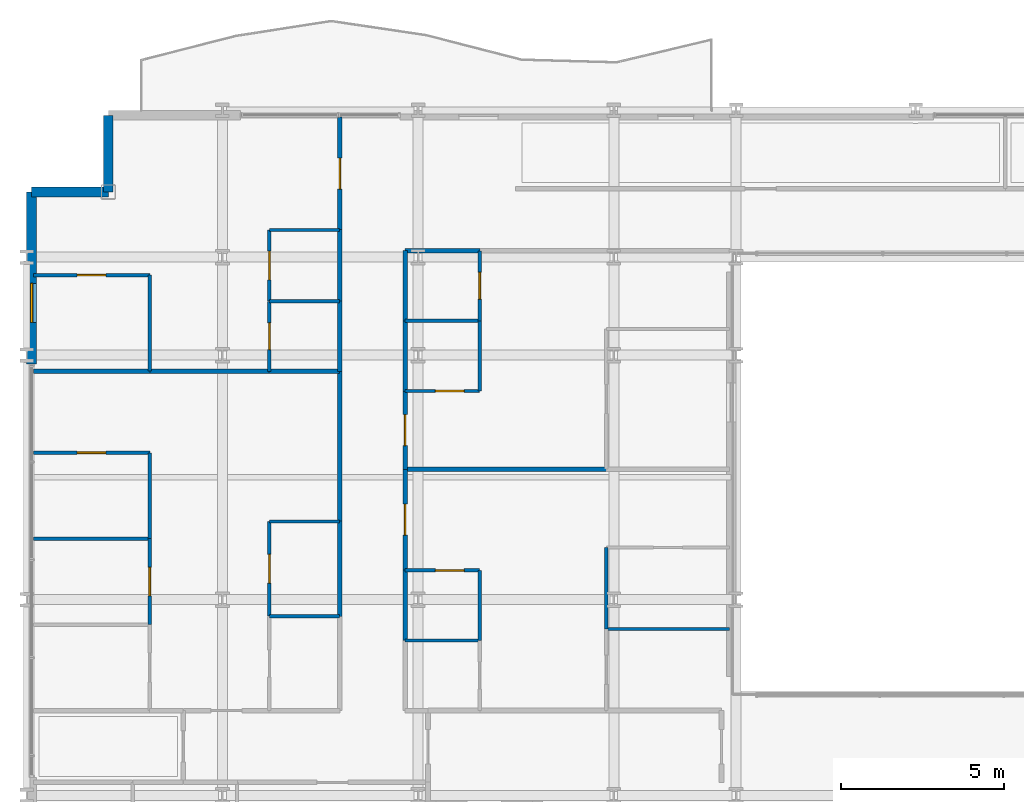
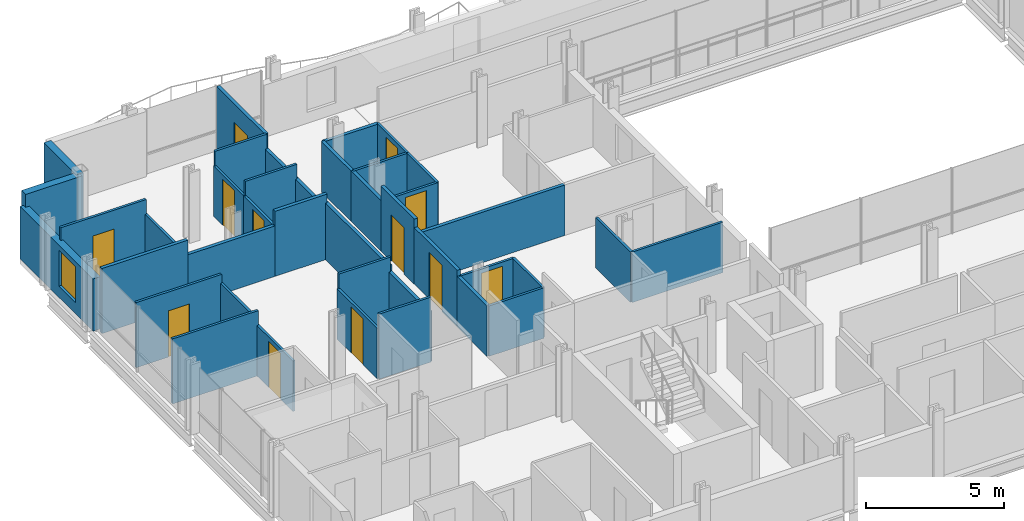
# One storey, part 33 of 41: 40 walls, 12 doors, 1 window, 13 openings.
"""IFC4 building model written with IfcOpenShell, lengths in metres."""

from ifc_helpers import new_model, si_unit, direction, frame, frame_2d, origin, place, context, subcontext, project, spatial, rectangle, extrude, material, layer, layer_set, type_object, element, fill, save


model = new_model("IFC4")

# Units and contexts
model_context = context("Model", 3, precision=1e-05, world=origin(), true_north=direction((0.0, 1.0)))
body_context = subcontext(model_context, "Body", "Model", "MODEL_VIEW")
ifc_project = project(units=[si_unit("LENGTHUNIT", "METRE"), si_unit("AREAUNIT", "SQUARE_METRE"), si_unit("VOLUMEUNIT", "CUBIC_METRE"), si_unit("PLANEANGLEUNIT", "RADIAN"), si_unit("MASSUNIT", "GRAM", prefix="KILO")], contexts=[model_context])

# Site, building, storey
site_placement = place(None, origin())
site = spatial("IfcSite", under=ifc_project, at=site_placement, CompositionType="ELEMENT")
building_placement = place(site_placement, origin())
building = spatial("IfcBuilding", under=site, at=building_placement, Name="Brevholm Reach", CompositionType="ELEMENT")
storey_placement = place(building_placement, frame((0.0, 0.0, 43.5)))
storey = spatial("IfcBuildingStorey", under=building, at=storey_placement, Name="L11", CompositionType="ELEMENT", Elevation=43.5)

# Walls
ifc_material_1 = material(Name="Concrete C40/50", Category="concrete")
ifc_layer_1 = layer(ifc_material_1, 0.300048828125)
ifc_layer_set_1 = layer_set([ifc_layer_1], Name="Concrete C40/50")
wall_type_1 = type_object("IfcWallType", Name="WAL-EXT-300", PredefinedType="STANDARD", material=ifc_layer_set_1)
for number, where, z_axis, x_axis, name in (
    (1, (2.5, 30.85009765625, 0.0), (0.0, 0.0, 1.0), (0.0, -1.0, 0.0), "L11 Facade Wall WAL-L11-CNW1"),
    (2, (2.5, 28.5, 0.0), (0.0, 0.0, 1.0), (-1.0, 0.0, 0.0), "L11 Facade Wall WAL-L11-CNW2"),
):
    element("IfcWall", number, at=place(storey_placement, frame(where, z_axis=z_axis, x_axis=x_axis)), inside=storey, type_object=wall_type_1, Name=name, PredefinedType="STANDARD", context=body_context, shape_type="SweptSolid", body=[
        extrude(rectangle(XDim=2.35009765625, YDim=0.300048828125, at=frame_2d((1.175048828125, 0.0))), origin(), (0.0, 0.0, 1.0), 2.8701171875),
    ])

# Wall, opening, window
wall_1_placement = place(storey_placement, frame((0.14990234375, 28.5, 0.0), z_axis=(0.0, 0.0, 1.0), x_axis=(0.0, -1.0, 0.0)))
wall_1 = element("IfcWall", 3, at=wall_1_placement, inside=storey, type_object=wall_type_1, Name="L11 Facade Wall WAL-L11-W-N", PredefinedType="STANDARD", context=body_context, shape_type="SweptSolid", body=[
    extrude(rectangle(XDim=5.280029296875, YDim=0.300048828125, at=frame_2d((2.64013671875, 0.0))), origin(), (0.0, 0.0, 1.0), 2.305419921875),
])
opening_1_placement = place(wall_1_placement, frame((2.800048828125, 0.0, 0.486083984375)))
opening_1 = element("IfcOpeningElement", 4, at=opening_1_placement, cuts=wall_1, Name="Opening WN-08", PredefinedType="OPENING", context=body_context, shape_type="SweptSolid", body=[
    extrude(rectangle(XDim=1.199951171875, YDim=1.60009765625, at=frame_2d((0.60009765625, 0.800048828125))), frame((0.0, 0.159912109375, 0.0), z_axis=(0.0, -1.0, 0.0), x_axis=(1.0, 0.0, 0.0)), (0.0, 0.0, 1.0), 0.320068359375),
])
ifc_material_2 = material(Name="Dark Anodised Aluminium and Solar-Control IGU Glass", Category="aluminium")
window_type = type_object("IfcWindowType", Name="WIN-RES-1200", PartitioningType="SINGLE_PANEL", PredefinedType="WINDOW", material=ifc_material_2)
window_placement = place(opening_1_placement, origin())
window = element("IfcWindow", 5, at=window_placement, inside=storey, type_object=window_type, Name="L11 Window WIN-L11-WN-1", OverallHeight=1.60009765625, OverallWidth=1.199951171875, PartitioningType="SINGLE_PANEL", PredefinedType="WINDOW", context=body_context, shape_type="SweptSolid", body=[
    extrude(rectangle(XDim=1.199951171875, YDim=1.60009765625, at=frame_2d((0.60009765625, 0.800048828125))), frame((0.0, 0.030029296875, 0.0), z_axis=(0.0, -1.0, 0.0), x_axis=(1.0, 0.0, 0.0)), (0.0, 0.0, 1.0), 0.06005859375),
])
fill(opening_1, window)

# Walls
ifc_material_3 = material(Name="Moisture-Resistant Acoustic Gypsum Stud Partition 100 mm", Category="gypsum")
ifc_layer_2 = layer(ifc_material_3, 0.10009765625)
ifc_layer_set_2 = layer_set([ifc_layer_2], Name="Moisture-Resistant Acoustic Gypsum Stud Partition 100 mm")
wall_type_2 = type_object("IfcWallType", Name="WAL-PRT-100", PredefinedType="PARTITIONING", material=ifc_layer_set_2)
for number, where, z_axis, x_axis, name in (
    (6, (7.43798828125, 15.488037109375, 0.0), (0.0, 0.0, 1.0), (1.0, 0.0, 0.0), "L11 Internal Partition 093"),
    (7, (7.43798828125, 18.39990234375, 0.0), (0.0, 0.0, 1.0), (1.0, 0.0, 0.0), "L11 Internal Partition 095"),
):
    element("IfcWall", number, at=place(storey_placement, frame(where, z_axis=z_axis, x_axis=x_axis)), inside=storey, type_object=wall_type_2, Name=name, PredefinedType="PARTITIONING", context=body_context, shape_type="SweptSolid", body=[
        extrude(rectangle(XDim=2.157958984375, YDim=0.10009765625, at=frame_2d((1.0791015625, 0.0))), origin(), (0.0, 0.0, 1.0), 2.8701171875),
    ])

# Wall, opening, door
wall_2_placement = place(storey_placement, frame((7.43798828125, 15.491943359375, 0.0), z_axis=(0.0, 0.0, 1.0), x_axis=(0.0, 1.0, 0.0)))
wall_2 = element("IfcWall", 8, at=wall_2_placement, inside=storey, type_object=wall_type_2, Name="L11 Internal Partition 096", PredefinedType="PARTITIONING", context=body_context, shape_type="SweptSolid", body=[
    extrude(rectangle(XDim=2.907958984375, YDim=0.10009765625, at=frame_2d((1.4541015625, 0.0))), origin(), (0.0, 0.0, 1.0), 2.224853515625),
])
opening_2_placement = place(wall_2_placement, frame((1.013916015625, 0.0, 0.0)))
opening_2 = element("IfcOpeningElement", 9, at=opening_2_placement, cuts=wall_2, Name="Opening ID-01", PredefinedType="OPENING", context=body_context, shape_type="SweptSolid", body=[
    extrude(rectangle(XDim=0.8798828125, YDim=2.0400390625, at=frame_2d((0.43994140625, 1.02001953125))), frame((0.0, 0.06005859375, 0.0), z_axis=(0.0, -1.0, 0.0), x_axis=(1.0, 0.0, 0.0)), (0.0, 0.0, 1.0), 0.1201171875),
])
ifc_material_4 = material(Name="Lacquered Ash Solid-Core Acoustic Internal Door", Category="timber")
door_type_1 = type_object("IfcDoorType", Name="DOR-INT-880", OperationType="NOTDEFINED", PredefinedType="DOOR", material=ifc_material_4)
door_1_placement = place(opening_2_placement, origin())
door_1 = element("IfcDoor", 10, at=door_1_placement, inside=storey, type_object=door_type_1, Name="L11 Internal Door 035", OperationType="SINGLE_SWING_RIGHT", OverallHeight=2.0400390625, OverallWidth=0.8798828125, PredefinedType="DOOR", context=body_context, shape_type="SweptSolid", body=[
    extrude(rectangle(XDim=0.8798828125, YDim=2.0400390625, at=frame_2d((0.43994140625, 1.02001953125))), frame((0.0, 0.02490234375, 0.0), z_axis=(0.0, -1.0, 0.0), x_axis=(1.0, 0.0, 0.0)), (0.0, 0.0, 1.0), 0.050048828125),
])
fill(opening_2, door_1)

# Wall
wall_3_placement = place(storey_placement, frame((0.199951171875, 17.8701171875, 0.0), z_axis=(0.0, 0.0, 1.0), x_axis=(1.0, 0.0, 0.0)))
element("IfcWall", 11, at=wall_3_placement, inside=storey, type_object=wall_type_2, Name="L11 Internal Partition 099", PredefinedType="PARTITIONING", context=body_context, shape_type="SweptSolid", body=[
    extrude(rectangle(XDim=3.572021484375, YDim=0.10009765625, at=frame_2d((1.7861328125, 0.0))), origin(), (0.0, 0.0, 1.0), 2.8701171875),
])

# Wall, opening, door
wall_4_placement = place(storey_placement, frame((3.77197265625, 15.239013671875, 0.0), z_axis=(0.0, 0.0, 1.0), x_axis=(0.0, 1.0, 0.0)))
wall_4 = element("IfcWall", 12, at=wall_4_placement, inside=storey, type_object=wall_type_2, Name="L11 Internal Partition 100", PredefinedType="PARTITIONING", context=body_context, shape_type="SweptSolid", body=[
    extrude(rectangle(XDim=2.631103515625, YDim=0.10009765625, at=frame_2d((1.3154296875, 0.0))), origin(), (0.0, 0.0, 1.0), 2.224853515625),
])
opening_3_placement = place(wall_4_placement, frame((0.87548828125, 0.0, 0.0)))
opening_3 = element("IfcOpeningElement", 13, at=opening_3_placement, cuts=wall_4, Name="Opening ID-01", PredefinedType="OPENING", context=body_context, shape_type="SweptSolid", body=[
    extrude(rectangle(XDim=0.8798828125, YDim=2.0400390625, at=frame_2d((0.43994140625, 1.02001953125))), frame((0.0, 0.06005859375, 0.0), z_axis=(0.0, -1.0, 0.0), x_axis=(1.0, 0.0, 0.0)), (0.0, 0.0, 1.0), 0.1201171875),
])
door_2_placement = place(opening_3_placement, origin())
door_2 = element("IfcDoor", 14, at=door_2_placement, inside=storey, type_object=door_type_1, Name="L11 Internal Door 037", OperationType="SINGLE_SWING_RIGHT", OverallHeight=2.0400390625, OverallWidth=0.8798828125, PredefinedType="DOOR", context=body_context, shape_type="SweptSolid", body=[
    extrude(rectangle(XDim=0.8798828125, YDim=2.0400390625, at=frame_2d((0.43994140625, 1.02001953125))), frame((0.0, 0.02490234375, 0.0), z_axis=(0.0, -1.0, 0.0), x_axis=(1.0, 0.0, 0.0)), (0.0, 0.0, 1.0), 0.050048828125),
])
fill(opening_3, door_2)

# Wall
wall_5_placement = place(storey_placement, frame((3.77197265625, 17.8740234375, 0.0), z_axis=(0.0, 0.0, 1.0), x_axis=(0.0, 1.0, 0.0)))
element("IfcWall", 15, at=wall_5_placement, inside=storey, type_object=wall_type_2, Name="L11 Internal Partition 101", PredefinedType="PARTITIONING", context=body_context, shape_type="SweptSolid", body=[
    extrude(rectangle(XDim=2.630859375, YDim=0.10009765625, at=frame_2d((1.3154296875, 0.0))), origin(), (0.0, 0.0, 1.0), 2.489990234375),
])

# Wall, opening, door
wall_6_placement = place(storey_placement, frame((0.199951171875, 20.5048828125, 0.0), z_axis=(0.0, 0.0, 1.0), x_axis=(1.0, 0.0, 0.0)))
wall_6 = element("IfcWall", 16, at=wall_6_placement, inside=storey, type_object=wall_type_2, Name="L11 Internal Partition 102", PredefinedType="PARTITIONING", context=body_context, shape_type="SweptSolid", body=[
    extrude(rectangle(XDim=3.572021484375, YDim=0.10009765625, at=frame_2d((1.7861328125, 0.0))), origin(), (0.0, 0.0, 1.0), 2.8701171875),
])
opening_4_placement = place(wall_6_placement, frame((1.345947265625, 0.0, 0.0)))
opening_4 = element("IfcOpeningElement", 17, at=opening_4_placement, cuts=wall_6, Name="Opening ID-01", PredefinedType="OPENING", context=body_context, shape_type="SweptSolid", body=[
    extrude(rectangle(XDim=0.8798828125, YDim=2.0400390625, at=frame_2d((0.43994140625, 1.02001953125))), frame((0.0, 0.06005859375, 0.0), z_axis=(0.0, -1.0, 0.0), x_axis=(1.0, 0.0, 0.0)), (0.0, 0.0, 1.0), 0.1201171875),
])
door_3_placement = place(opening_4_placement, origin())
door_3 = element("IfcDoor", 18, at=door_3_placement, inside=storey, type_object=door_type_1, Name="L11 Internal Door 038", OperationType="SINGLE_SWING_LEFT", OverallHeight=2.0400390625, OverallWidth=0.8798828125, PredefinedType="DOOR", context=body_context, shape_type="SweptSolid", body=[
    extrude(rectangle(XDim=0.8798828125, YDim=2.0400390625, at=frame_2d((0.43994140625, 1.02001953125))), frame((0.0, 0.02490234375, 0.0), z_axis=(0.0, -1.0, 0.0), x_axis=(1.0, 0.0, 0.0)), (0.0, 0.0, 1.0), 0.050048828125),
])
fill(opening_4, door_3)

# Wall
wall_7_placement = place(storey_placement, frame((7.43798828125, 25.14990234375, 0.0), z_axis=(0.0, 0.0, 1.0), x_axis=(1.0, 0.0, 0.0)))
element("IfcWall", 19, at=wall_7_placement, inside=storey, type_object=wall_type_2, Name="L11 Internal Partition 106", PredefinedType="PARTITIONING", context=body_context, shape_type="SweptSolid", body=[
    extrude(rectangle(XDim=2.157958984375, YDim=0.10009765625, at=frame_2d((1.0791015625, 0.0))), origin(), (0.0, 0.0, 1.0), 2.8701171875),
])

# Wall, opening, door
wall_8_placement = place(storey_placement, frame((7.43798828125, 23.00390625, 0.0), z_axis=(0.0, 0.0, 1.0), x_axis=(0.0, 1.0, 0.0)))
wall_8 = element("IfcWall", 20, at=wall_8_placement, inside=storey, type_object=wall_type_2, Name="L11 Internal Partition 107", PredefinedType="PARTITIONING", context=body_context, shape_type="SweptSolid", body=[
    extrude(rectangle(XDim=2.14599609375, YDim=0.10009765625, at=frame_2d((1.072998046875, 0.0))), origin(), (0.0, 0.0, 1.0), 2.224853515625),
])
opening_5_placement = place(wall_8_placement, frame((0.6630859375, 0.0, 0.0)))
opening_5 = element("IfcOpeningElement", 21, at=opening_5_placement, cuts=wall_8, Name="Opening ID-03", PredefinedType="OPENING", context=body_context, shape_type="SweptSolid", body=[
    extrude(rectangle(XDim=0.820068359375, YDim=2.02001953125, at=frame_2d((0.41015625, 1.010009765625))), frame((0.0, 0.06005859375, 0.0), z_axis=(0.0, -1.0, 0.0), x_axis=(1.0, 0.0, 0.0)), (0.0, 0.0, 1.0), 0.1201171875),
])
ifc_material_5 = material(Name="Moisture-Resistant Painted Timber Internal Bathroom Door", Category="wood")
door_type_2 = type_object("IfcDoorType", Name="DOR-BATH-820", OperationType="NOTDEFINED", PredefinedType="DOOR", material=ifc_material_5)
door_4_placement = place(opening_5_placement, origin())
door_4 = element("IfcDoor", 22, at=door_4_placement, inside=storey, type_object=door_type_2, Name="L11 Internal Door 039", OperationType="SINGLE_SWING_RIGHT", OverallHeight=2.02001953125, OverallWidth=0.820068359375, PredefinedType="DOOR", context=body_context, shape_type="SweptSolid", body=[
    extrude(rectangle(XDim=0.820068359375, YDim=2.02001953125, at=frame_2d((0.41015625, 1.010009765625))), frame((0.0, 0.02490234375, 0.0), z_axis=(0.0, -1.0, 0.0), x_axis=(1.0, 0.0, 0.0)), (0.0, 0.0, 1.0), 0.050048828125),
])
fill(opening_5, door_4)

# Wall
wall_9_placement = place(storey_placement, frame((7.43798828125, 27.333984375, 0.0), z_axis=(0.0, 0.0, 1.0), x_axis=(1.0, 0.0, 0.0)))
element("IfcWall", 23, at=wall_9_placement, inside=storey, type_object=wall_type_2, Name="L11 Internal Partition 108", PredefinedType="PARTITIONING", context=body_context, shape_type="SweptSolid", body=[
    extrude(rectangle(XDim=2.157958984375, YDim=0.10009765625, at=frame_2d((1.0791015625, 0.0))), origin(), (0.0, 0.0, 1.0), 2.8701171875),
])

# Wall, opening, door
wall_10_placement = place(storey_placement, frame((7.43798828125, 25.154052734375, 0.0), z_axis=(0.0, 0.0, 1.0), x_axis=(0.0, 1.0, 0.0)))
wall_10 = element("IfcWall", 24, at=wall_10_placement, inside=storey, type_object=wall_type_2, Name="L11 Internal Partition 109", PredefinedType="PARTITIONING", context=body_context, shape_type="SweptSolid", body=[
    extrude(rectangle(XDim=2.179931640625, YDim=0.10009765625, at=frame_2d((1.08984375, 0.0))), origin(), (0.0, 0.0, 1.0), 2.224853515625),
])
opening_6_placement = place(wall_10_placement, frame((0.64990234375, 0.0, 0.0)))
opening_6 = element("IfcOpeningElement", 25, at=opening_6_placement, cuts=wall_10, Name="Opening ID-01", PredefinedType="OPENING", context=body_context, shape_type="SweptSolid", body=[
    extrude(rectangle(XDim=0.8798828125, YDim=2.0400390625, at=frame_2d((0.43994140625, 1.02001953125))), frame((0.0, 0.06005859375, 0.0), z_axis=(0.0, -1.0, 0.0), x_axis=(1.0, 0.0, 0.0)), (0.0, 0.0, 1.0), 0.1201171875),
])
door_5_placement = place(opening_6_placement, origin())
door_5 = element("IfcDoor", 26, at=door_5_placement, inside=storey, type_object=door_type_1, Name="L11 Internal Door 040", OperationType="SINGLE_SWING_LEFT", OverallHeight=2.0400390625, OverallWidth=0.8798828125, PredefinedType="DOOR", context=body_context, shape_type="SweptSolid", body=[
    extrude(rectangle(XDim=0.8798828125, YDim=2.0400390625, at=frame_2d((0.43994140625, 1.02001953125))), frame((0.0, 0.02490234375, 0.0), z_axis=(0.0, -1.0, 0.0), x_axis=(1.0, 0.0, 0.0)), (0.0, 0.0, 1.0), 0.050048828125),
])
fill(opening_6, door_5)

# Wall
wall_11_placement = place(storey_placement, frame((3.77197265625, 23.00390625, 0.0), z_axis=(0.0, 0.0, 1.0), x_axis=(0.0, 1.0, 0.0)))
element("IfcWall", 27, at=wall_11_placement, inside=storey, type_object=wall_type_2, Name="L11 Internal Partition 110", PredefinedType="PARTITIONING", context=body_context, shape_type="SweptSolid", body=[
    extrude(rectangle(XDim=2.946044921875, YDim=0.10009765625, at=frame_2d((1.47314453125, 0.0))), origin(), (0.0, 0.0, 1.0), 2.224853515625),
])

# Wall, opening, door
wall_12_placement = place(storey_placement, frame((0.199951171875, 25.949951171875, 0.0), z_axis=(0.0, 0.0, 1.0), x_axis=(1.0, 0.0, 0.0)))
wall_12 = element("IfcWall", 28, at=wall_12_placement, inside=storey, type_object=wall_type_2, Name="L11 Internal Partition 111", PredefinedType="PARTITIONING", context=body_context, shape_type="SweptSolid", body=[
    extrude(rectangle(XDim=3.572021484375, YDim=0.10009765625, at=frame_2d((1.7861328125, 0.0))), origin(), (0.0, 0.0, 1.0), 2.8701171875),
])
opening_7_placement = place(wall_12_placement, frame((1.345947265625, 0.0, 0.0)))
opening_7 = element("IfcOpeningElement", 29, at=opening_7_placement, cuts=wall_12, Name="Opening ID-01", PredefinedType="OPENING", context=body_context, shape_type="SweptSolid", body=[
    extrude(rectangle(XDim=0.8798828125, YDim=2.0400390625, at=frame_2d((0.43994140625, 1.02001953125))), frame((0.0, 0.06005859375, 0.0), z_axis=(0.0, -1.0, 0.0), x_axis=(1.0, 0.0, 0.0)), (0.0, 0.0, 1.0), 0.1201171875),
])
door_6_placement = place(opening_7_placement, origin())
door_6 = element("IfcDoor", 30, at=door_6_placement, inside=storey, type_object=door_type_1, Name="L11 Internal Door 041", OperationType="SINGLE_SWING_RIGHT", OverallHeight=2.0400390625, OverallWidth=0.8798828125, PredefinedType="DOOR", context=body_context, shape_type="SweptSolid", body=[
    extrude(rectangle(XDim=0.8798828125, YDim=2.0400390625, at=frame_2d((0.43994140625, 1.02001953125))), frame((0.0, 0.02490234375, 0.0), z_axis=(0.0, -1.0, 0.0), x_axis=(1.0, 0.0, 0.0)), (0.0, 0.0, 1.0), 0.050048828125),
])
fill(opening_7, door_6)

# Walls
wall_13_placement = place(storey_placement, frame((11.60400390625, 14.75, 0.0), z_axis=(0.0, 0.0, 1.0), x_axis=(1.0, 0.0, 0.0)))
element("IfcWall", 31, at=wall_13_placement, inside=storey, type_object=wall_type_2, Name="L11 Internal Partition 112", PredefinedType="PARTITIONING", context=body_context, shape_type="SweptSolid", body=[
    extrude(rectangle(XDim=2.284912109375, YDim=0.10009765625, at=frame_2d((1.142578125, 0.0))), origin(), (0.0, 0.0, 1.0), 2.224853515625),
])
wall_14_placement = place(storey_placement, frame((13.888916015625, 14.75390625, 0.0), z_axis=(0.0, 0.0, 1.0), x_axis=(0.0, 1.0, 0.0)))
element("IfcWall", 32, at=wall_14_placement, inside=storey, type_object=wall_type_2, Name="L11 Internal Partition 114", PredefinedType="PARTITIONING", context=body_context, shape_type="SweptSolid", body=[
    extrude(rectangle(XDim=2.14599609375, YDim=0.10009765625, at=frame_2d((1.072998046875, 0.0))), origin(), (0.0, 0.0, 1.0), 2.224853515625),
])

# Wall, opening, door
wall_15_placement = place(storey_placement, frame((11.60400390625, 16.89990234375, 0.0), z_axis=(0.0, 0.0, 1.0), x_axis=(1.0, 0.0, 0.0)))
wall_15 = element("IfcWall", 33, at=wall_15_placement, inside=storey, type_object=wall_type_2, Name="L11 Internal Partition 115", PredefinedType="PARTITIONING", context=body_context, shape_type="SweptSolid", body=[
    extrude(rectangle(XDim=2.284912109375, YDim=0.10009765625, at=frame_2d((1.142578125, 0.0))), origin(), (0.0, 0.0, 1.0), 2.224853515625),
])
opening_8_placement = place(wall_15_placement, frame((0.922607421875, 0.0, 0.0)))
opening_8 = element("IfcOpeningElement", 34, at=opening_8_placement, cuts=wall_15, Name="Opening ID-01", PredefinedType="OPENING", context=body_context, shape_type="SweptSolid", body=[
    extrude(rectangle(XDim=0.8798828125, YDim=2.0400390625, at=frame_2d((0.43994140625, 1.02001953125))), frame((0.0, 0.06005859375, 0.0), z_axis=(0.0, -1.0, 0.0), x_axis=(1.0, 0.0, 0.0)), (0.0, 0.0, 1.0), 0.1201171875),
])
door_7_placement = place(opening_8_placement, origin())
door_7 = element("IfcDoor", 35, at=door_7_placement, inside=storey, type_object=door_type_1, Name="L11 Internal Door 043", OperationType="SINGLE_SWING_RIGHT", OverallHeight=2.0400390625, OverallWidth=0.8798828125, PredefinedType="DOOR", context=body_context, shape_type="SweptSolid", body=[
    extrude(rectangle(XDim=0.8798828125, YDim=2.0400390625, at=frame_2d((0.43994140625, 1.02001953125))), frame((0.0, 0.02490234375, 0.0), z_axis=(0.0, -1.0, 0.0), x_axis=(1.0, 0.0, 0.0)), (0.0, 0.0, 1.0), 0.050048828125),
])
fill(opening_8, door_7)

# Walls
wall_16_placement = place(storey_placement, frame((17.76904296875, 15.10009765625, 0.0), z_axis=(0.0, 0.0, 1.0), x_axis=(1.0, 0.0, 0.0)))
element("IfcWall", 36, at=wall_16_placement, inside=storey, type_object=wall_type_2, Name="L11 Internal Partition 116", PredefinedType="PARTITIONING", context=body_context, shape_type="SweptSolid", body=[
    extrude(rectangle(XDim=3.781005859375, YDim=0.10009765625, at=frame_2d((1.890625, 0.0))), origin(), (0.0, 0.0, 1.0), 2.224853515625),
])
wall_17_placement = place(storey_placement, frame((17.76904296875, 15.10400390625, 0.0), z_axis=(0.0, 0.0, 1.0), x_axis=(0.0, 1.0, 0.0)))
element("IfcWall", 37, at=wall_17_placement, inside=storey, type_object=wall_type_2, Name="L11 Internal Partition 119", PredefinedType="PARTITIONING", context=body_context, shape_type="SweptSolid", body=[
    extrude(rectangle(XDim=2.49609375, YDim=0.10009765625, at=frame_2d((1.248046875, 0.0))), origin(), (0.0, 0.0, 1.0), 2.224853515625),
])
wall_18_placement = place(storey_placement, frame((11.60400390625, 24.550048828125, 0.0), z_axis=(0.0, 0.0, 1.0), x_axis=(1.0, 0.0, 0.0)))
element("IfcWall", 38, at=wall_18_placement, inside=storey, type_object=wall_type_2, Name="L11 Internal Partition 122", PredefinedType="PARTITIONING", context=body_context, shape_type="SweptSolid", body=[
    extrude(rectangle(XDim=2.284912109375, YDim=0.10009765625, at=frame_2d((1.142578125, 0.0))), origin(), (0.0, 0.0, 1.0), 2.224853515625),
])

# Wall, opening, door
wall_19_placement = place(storey_placement, frame((13.888916015625, 24.550048828125, 0.0), z_axis=(0.0, 0.0, 1.0), x_axis=(0.0, 1.0, 0.0)))
wall_19 = element("IfcWall", 39, at=wall_19_placement, inside=storey, type_object=wall_type_2, Name="L11 Internal Partition 123", PredefinedType="PARTITIONING", context=body_context, shape_type="SweptSolid", body=[
    extrude(rectangle(XDim=2.14599609375, YDim=0.10009765625, at=frame_2d((1.072998046875, 0.0))), origin(), (0.0, 0.0, 1.0), 2.224853515625),
])
opening_9_placement = place(wall_19_placement, frame((0.6630859375, 0.0, 0.0)))
opening_9 = element("IfcOpeningElement", 40, at=opening_9_placement, cuts=wall_19, Name="Opening ID-03", PredefinedType="OPENING", context=body_context, shape_type="SweptSolid", body=[
    extrude(rectangle(XDim=0.820068359375, YDim=2.02001953125, at=frame_2d((0.41015625, 1.010009765625))), frame((0.0, 0.06005859375, 0.0), z_axis=(0.0, -1.0, 0.0), x_axis=(1.0, 0.0, 0.0)), (0.0, 0.0, 1.0), 0.1201171875),
])
door_8_placement = place(opening_9_placement, origin())
door_8 = element("IfcDoor", 41, at=door_8_placement, inside=storey, type_object=door_type_2, Name="L11 Internal Door 046", OperationType="SINGLE_SWING_LEFT", OverallHeight=2.02001953125, OverallWidth=0.820068359375, PredefinedType="DOOR", context=body_context, shape_type="SweptSolid", body=[
    extrude(rectangle(XDim=0.820068359375, YDim=2.02001953125, at=frame_2d((0.41015625, 1.010009765625))), frame((0.0, 0.02490234375, 0.0), z_axis=(0.0, -1.0, 0.0), x_axis=(1.0, 0.0, 0.0)), (0.0, 0.0, 1.0), 0.050048828125),
])
fill(opening_9, door_8)

wall_20_placement = place(storey_placement, frame((11.60400390625, 22.39990234375, 0.0), z_axis=(0.0, 0.0, 1.0), x_axis=(1.0, 0.0, 0.0)))
wall_20 = element("IfcWall", 42, at=wall_20_placement, inside=storey, type_object=wall_type_2, Name="L11 Internal Partition 124", PredefinedType="PARTITIONING", context=body_context, shape_type="SweptSolid", body=[
    extrude(rectangle(XDim=2.284912109375, YDim=0.10009765625, at=frame_2d((1.142578125, 0.0))), origin(), (0.0, 0.0, 1.0), 2.224853515625),
])
opening_10_placement = place(wall_20_placement, frame((0.922607421875, 0.0, 0.0)))
opening_10 = element("IfcOpeningElement", 43, at=opening_10_placement, cuts=wall_20, Name="Opening ID-01", PredefinedType="OPENING", context=body_context, shape_type="SweptSolid", body=[
    extrude(rectangle(XDim=0.8798828125, YDim=2.0400390625, at=frame_2d((0.43994140625, 1.02001953125))), frame((0.0, 0.06005859375, 0.0), z_axis=(0.0, -1.0, 0.0), x_axis=(1.0, 0.0, 0.0)), (0.0, 0.0, 1.0), 0.1201171875),
])
door_9_placement = place(opening_10_placement, origin())
door_9 = element("IfcDoor", 44, at=door_9_placement, inside=storey, type_object=door_type_1, Name="L11 Internal Door 047", OperationType="SINGLE_SWING_RIGHT", OverallHeight=2.0400390625, OverallWidth=0.8798828125, PredefinedType="DOOR", context=body_context, shape_type="SweptSolid", body=[
    extrude(rectangle(XDim=0.8798828125, YDim=2.0400390625, at=frame_2d((0.43994140625, 1.02001953125))), frame((0.0, 0.02490234375, 0.0), z_axis=(0.0, -1.0, 0.0), x_axis=(1.0, 0.0, 0.0)), (0.0, 0.0, 1.0), 0.050048828125),
])
fill(opening_10, door_9)

# Walls
wall_21_placement = place(storey_placement, frame((13.888916015625, 22.39990234375, 0.0), z_axis=(0.0, 0.0, 1.0), x_axis=(0.0, 1.0, 0.0)))
element("IfcWall", 45, at=wall_21_placement, inside=storey, type_object=wall_type_2, Name="L11 Internal Partition 125", PredefinedType="PARTITIONING", context=body_context, shape_type="SweptSolid", body=[
    extrude(rectangle(XDim=2.14599609375, YDim=0.10009765625, at=frame_2d((1.072998046875, 0.0))), origin(), (0.0, 0.0, 1.0), 2.224853515625),
])
ifc_material_6 = material(Name="Twin-Stud Acoustic Fire-Rated Gypsum Partition 140 mm", Category="gypsum")
ifc_layer_3 = layer(ifc_material_6, 0.139892578125)
ifc_layer_set_3 = layer_set([ifc_layer_3], Name="Twin-Stud Acoustic Fire-Rated Gypsum Partition 140 mm")
wall_type_3 = type_object("IfcWallType", Name="WAL-PRT-140", PredefinedType="PARTITIONING", material=ifc_layer_set_3)
wall_22_placement = place(storey_placement, frame((9.60009765625, 15.480712890625, 0.0), z_axis=(0.0, 0.0, 1.0), x_axis=(0.0, 1.0, 0.0)))
element("IfcWall", 46, at=wall_22_placement, inside=storey, type_object=wall_type_3, Name="L11 Internal Partition 039", PredefinedType="PARTITIONING", context=body_context, shape_type="SweptSolid", body=[
    extrude(rectangle(XDim=2.9306640625, YDim=0.139892578125, at=frame_2d((1.46533203125, 0.0))), origin(), (0.0, 0.0, 1.0), 2.224853515625),
])
wall_23_placement = place(storey_placement, frame((9.60009765625, 18.392578125, 0.0), z_axis=(0.0, 0.0, 1.0), x_axis=(0.0, 1.0, 0.0)))
element("IfcWall", 47, at=wall_23_placement, inside=storey, type_object=wall_type_3, Name="L11 Internal Partition 040", PredefinedType="PARTITIONING", context=body_context, shape_type="SweptSolid", body=[
    extrude(rectangle(XDim=4.61865234375, YDim=0.139892578125, at=frame_2d((2.309326171875, 0.0))), origin(), (0.0, 0.0, 1.0), 2.489990234375),
])
wall_24_placement = place(storey_placement, frame((9.60009765625, 22.99267578125, 0.0), z_axis=(0.0, 0.0, 1.0), x_axis=(0.0, 1.0, 0.0)))
element("IfcWall", 48, at=wall_24_placement, inside=storey, type_object=wall_type_3, Name="L11 Internal Partition 041", PredefinedType="PARTITIONING", context=body_context, shape_type="SweptSolid", body=[
    extrude(rectangle(XDim=2.168701171875, YDim=0.139892578125, at=frame_2d((1.08447265625, 0.0))), origin(), (0.0, 0.0, 1.0), 2.224853515625),
])
wall_25_placement = place(storey_placement, frame((9.60009765625, 25.142578125, 0.0), z_axis=(0.0, 0.0, 1.0), x_axis=(0.0, 1.0, 0.0)))
element("IfcWall", 49, at=wall_25_placement, inside=storey, type_object=wall_type_3, Name="L11 Internal Partition 042", PredefinedType="PARTITIONING", context=body_context, shape_type="SweptSolid", body=[
    extrude(rectangle(XDim=2.20263671875, YDim=0.139892578125, at=frame_2d((1.101318359375, 0.0))), origin(), (0.0, 0.0, 1.0), 2.224853515625),
])

# Wall, opening, door
wall_26_placement = place(storey_placement, frame((9.60009765625, 27.32666015625, 0.0), z_axis=(0.0, 0.0, 1.0), x_axis=(0.0, 1.0, 0.0)))
wall_26 = element("IfcWall", 50, at=wall_26_placement, inside=storey, type_object=wall_type_3, Name="L11 Internal Partition 043", PredefinedType="PARTITIONING", context=body_context, shape_type="SweptSolid", body=[
    extrude(rectangle(XDim=3.473388671875, YDim=0.139892578125, at=frame_2d((1.73681640625, 0.0))), origin(), (0.0, 0.0, 1.0), 2.8701171875),
])
opening_11_placement = place(wall_26_placement, frame((1.26171875, 0.0, 0.0)))
opening_11 = element("IfcOpeningElement", 51, at=opening_11_placement, cuts=wall_26, Name="Opening ID-30", PredefinedType="OPENING", context=body_context, shape_type="SweptSolid", body=[
    extrude(rectangle(XDim=0.949951171875, YDim=2.050048828125, at=frame_2d((0.47509765625, 1.02490234375))), frame((0.0, 0.079833984375, 0.0), z_axis=(0.0, -1.0, 0.0), x_axis=(1.0, 0.0, 0.0)), (0.0, 0.0, 1.0), 0.159912109375),
])
ifc_material_7 = material(Name="European Oak Veneered Solid-Core Fire Entrance Door", Category="timber")
door_type_3 = type_object("IfcDoorType", Name="DOR-FLT-FD30S", OperationType="NOTDEFINED", PredefinedType="DOOR", material=ifc_material_7)
door_10_placement = place(opening_11_placement, origin())
door_10 = element("IfcDoor", 52, at=door_10_placement, inside=storey, type_object=door_type_3, Name="L11 Internal Door 018", OperationType="SINGLE_SWING_LEFT", OverallHeight=2.050048828125, OverallWidth=0.949951171875, PredefinedType="DOOR", context=body_context, shape_type="SweptSolid", body=[
    extrude(rectangle(XDim=0.949951171875, YDim=2.050048828125, at=frame_2d((0.47509765625, 1.02490234375))), frame((0.0, 0.02490234375, 0.0), z_axis=(0.0, -1.0, 0.0), x_axis=(1.0, 0.0, 0.0)), (0.0, 0.0, 1.0), 0.050048828125),
])
fill(opening_11, door_10)

# Wall
wall_27_placement = place(storey_placement, frame((11.60009765625, 14.74267578125, 0.0), z_axis=(0.0, 0.0, 1.0), x_axis=(0.0, 1.0, 0.0)))
element("IfcWall", 53, at=wall_27_placement, inside=storey, type_object=wall_type_3, Name="L11 Internal Partition 045", PredefinedType="PARTITIONING", context=body_context, shape_type="SweptSolid", body=[
    extrude(rectangle(XDim=2.168701171875, YDim=0.139892578125, at=frame_2d((1.08447265625, 0.0))), origin(), (0.0, 0.0, 1.0), 2.224853515625),
])

# Wall, opening, door
wall_28_placement = place(storey_placement, frame((11.60009765625, 16.892578125, 0.0), z_axis=(0.0, 0.0, 1.0), x_axis=(0.0, 1.0, 0.0)))
wall_28 = element("IfcWall", 54, at=wall_28_placement, inside=storey, type_object=wall_type_3, Name="L11 Internal Partition 046", PredefinedType="PARTITIONING", context=body_context, shape_type="SweptSolid", body=[
    extrude(rectangle(XDim=3.11865234375, YDim=0.139892578125, at=frame_2d((1.559326171875, 0.0))), origin(), (0.0, 0.0, 1.0), 2.489990234375),
])
opening_12_placement = place(wall_28_placement, frame((1.084228515625, 0.0, 0.0)))
opening_12 = element("IfcOpeningElement", 55, at=opening_12_placement, cuts=wall_28, Name="Opening ID-30", PredefinedType="OPENING", context=body_context, shape_type="SweptSolid", body=[
    extrude(rectangle(XDim=0.949951171875, YDim=2.050048828125, at=frame_2d((0.47509765625, 1.02490234375))), frame((0.0, 0.079833984375, 0.0), z_axis=(0.0, -1.0, 0.0), x_axis=(1.0, 0.0, 0.0)), (0.0, 0.0, 1.0), 0.159912109375),
])
door_11_placement = place(opening_12_placement, origin())
door_11 = element("IfcDoor", 56, at=door_11_placement, inside=storey, type_object=door_type_3, Name="L11 Internal Door 019", OperationType="SINGLE_SWING_RIGHT", OverallHeight=2.050048828125, OverallWidth=0.949951171875, PredefinedType="DOOR", context=body_context, shape_type="SweptSolid", body=[
    extrude(rectangle(XDim=0.949951171875, YDim=2.050048828125, at=frame_2d((0.47509765625, 1.02490234375))), frame((0.0, 0.02490234375, 0.0), z_axis=(0.0, -1.0, 0.0), x_axis=(1.0, 0.0, 0.0)), (0.0, 0.0, 1.0), 0.050048828125),
])
fill(opening_12, door_11)

# Walls
wall_29_placement = place(storey_placement, frame((11.60009765625, 24.538818359375, 0.0), z_axis=(0.0, 0.0, 1.0), x_axis=(0.0, 1.0, 0.0)))
element("IfcWall", 57, at=wall_29_placement, inside=storey, type_object=wall_type_3, Name="L11 Internal Partition 047", PredefinedType="PARTITIONING", context=body_context, shape_type="SweptSolid", body=[
    extrude(rectangle(XDim=2.16845703125, YDim=0.139892578125, at=frame_2d((1.084228515625, 0.0))), origin(), (0.0, 0.0, 1.0), 2.224853515625),
])
wall_30_placement = place(storey_placement, frame((11.60009765625, 22.388671875, 0.0), z_axis=(0.0, 0.0, 1.0), x_axis=(0.0, 1.0, 0.0)))
element("IfcWall", 58, at=wall_30_placement, inside=storey, type_object=wall_type_3, Name="L11 Internal Partition 048", PredefinedType="PARTITIONING", context=body_context, shape_type="SweptSolid", body=[
    extrude(rectangle(XDim=2.168701171875, YDim=0.139892578125, at=frame_2d((1.08447265625, 0.0))), origin(), (0.0, 0.0, 1.0), 2.224853515625),
])

# Wall, opening, door
wall_31_placement = place(storey_placement, frame((11.60009765625, 19.99267578125, 0.0), z_axis=(0.0, 0.0, 1.0), x_axis=(0.0, 1.0, 0.0)))
wall_31 = element("IfcWall", 59, at=wall_31_placement, inside=storey, type_object=wall_type_3, Name="L11 Internal Partition 049", PredefinedType="PARTITIONING", context=body_context, shape_type="SweptSolid", body=[
    extrude(rectangle(XDim=2.41455078125, YDim=0.139892578125, at=frame_2d((1.207275390625, 0.0))), origin(), (0.0, 0.0, 1.0), 2.8701171875),
])
opening_13_placement = place(wall_31_placement, frame((0.732421875, 0.0, 0.0)))
opening_13 = element("IfcOpeningElement", 60, at=opening_13_placement, cuts=wall_31, Name="Opening ID-30", PredefinedType="OPENING", context=body_context, shape_type="SweptSolid", body=[
    extrude(rectangle(XDim=0.949951171875, YDim=2.050048828125, at=frame_2d((0.47509765625, 1.02490234375))), frame((0.0, 0.079833984375, 0.0), z_axis=(0.0, -1.0, 0.0), x_axis=(1.0, 0.0, 0.0)), (0.0, 0.0, 1.0), 0.159912109375),
])
door_12_placement = place(opening_13_placement, origin())
door_12 = element("IfcDoor", 61, at=door_12_placement, inside=storey, type_object=door_type_3, Name="L11 Internal Door 020", OperationType="SINGLE_SWING_LEFT", OverallHeight=2.050048828125, OverallWidth=0.949951171875, PredefinedType="DOOR", context=body_context, shape_type="SweptSolid", body=[
    extrude(rectangle(XDim=0.949951171875, YDim=2.050048828125, at=frame_2d((0.47509765625, 1.02490234375))), frame((0.0, 0.02490234375, 0.0), z_axis=(0.0, -1.0, 0.0), x_axis=(1.0, 0.0, 0.0)), (0.0, 0.0, 1.0), 0.050048828125),
])
fill(opening_13, door_12)

# Walls
wall_32_placement = place(storey_placement, frame((11.60400390625, 26.699951171875, 0.0), z_axis=(0.0, 0.0, 1.0), x_axis=(1.0, 0.0, 0.0)))
element("IfcWall", 62, at=wall_32_placement, inside=storey, type_object=wall_type_3, Name="L11 Internal Partition 060", PredefinedType="PARTITIONING", context=body_context, shape_type="SweptSolid", body=[
    extrude(rectangle(XDim=2.29638671875, YDim=0.139892578125, at=frame_2d((1.148193359375, 0.0))), origin(), (0.0, 0.0, 1.0), 2.224853515625),
])
wall_33_placement = place(storey_placement, frame((7.4267578125, 23.0, 0.0), z_axis=(0.0, 0.0, 1.0), x_axis=(1.0, 0.0, 0.0)))
element("IfcWall", 63, at=wall_33_placement, inside=storey, type_object=wall_type_3, Name="L11 Internal Partition 103", PredefinedType="PARTITIONING", context=body_context, shape_type="SweptSolid", body=[
    extrude(rectangle(XDim=2.169189453125, YDim=0.139892578125, at=frame_2d((1.08447265625, 0.0))), origin(), (0.0, 0.0, 1.0), 2.8701171875),
])
wall_34_placement = place(storey_placement, frame((0.199951171875, 23.0, 0.0), z_axis=(0.0, 0.0, 1.0), x_axis=(1.0, 0.0, 0.0)))
element("IfcWall", 64, at=wall_34_placement, inside=storey, type_object=wall_type_3, Name="L11 Internal Partition 104", PredefinedType="PARTITIONING", context=body_context, shape_type="SweptSolid", body=[
    extrude(rectangle(XDim=3.583251953125, YDim=0.139892578125, at=frame_2d((1.79150390625, 0.0))), origin(), (0.0, 0.0, 1.0), 2.8701171875),
])
wall_35_placement = place(storey_placement, frame((3.7646484375, 23.0, 0.0), z_axis=(0.0, 0.0, 1.0), x_axis=(1.0, 0.0, 0.0)))
element("IfcWall", 65, at=wall_35_placement, inside=storey, type_object=wall_type_3, Name="L11 Internal Partition 105", PredefinedType="PARTITIONING", context=body_context, shape_type="SweptSolid", body=[
    extrude(rectangle(XDim=3.6806640625, YDim=0.139892578125, at=frame_2d((1.84033203125, 0.0))), origin(), (0.0, 0.0, 1.0), 2.224853515625),
])
wall_36_placement = place(storey_placement, frame((11.60400390625, 20.0, 0.0), z_axis=(0.0, 0.0, 1.0), x_axis=(1.0, 0.0, 0.0)))
element("IfcWall", 66, at=wall_36_placement, inside=storey, type_object=wall_type_3, Name="L11 Internal Partition 121", PredefinedType="PARTITIONING", context=body_context, shape_type="SweptSolid", body=[
    extrude(rectangle(XDim=6.17236328125, YDim=0.139892578125, at=frame_2d((3.086181640625, 0.0))), origin(), (0.0, 0.0, 1.0), 2.224853515625),
])

save(model, "model.ifc")
